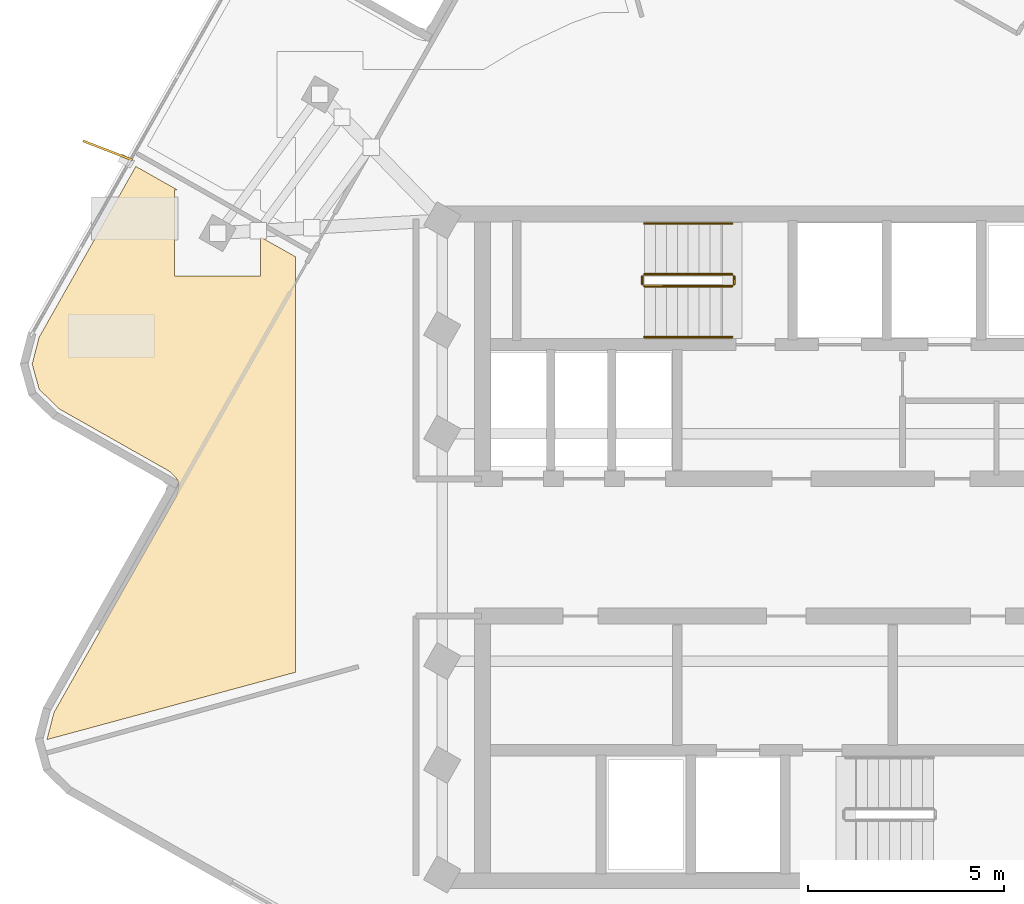
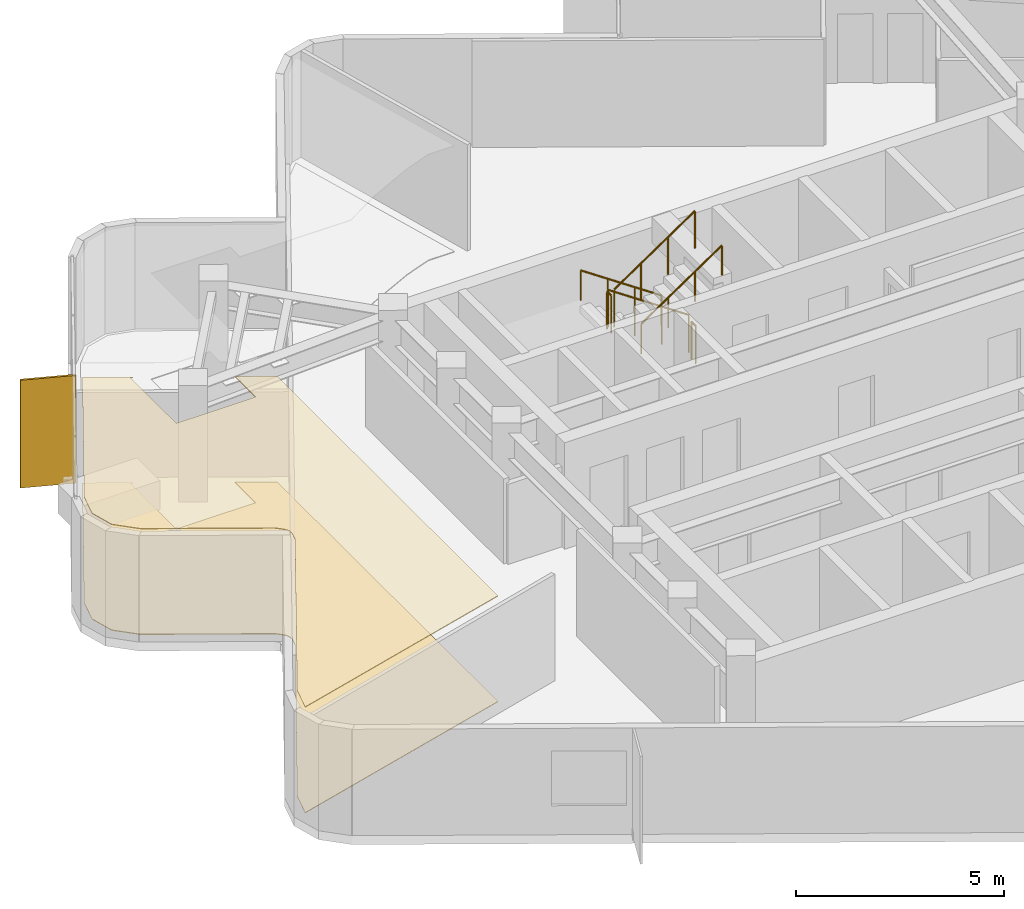
# One storey, part 9 of 11: 6 railings, 2 coverings, 1 shading device.
"""IFC4 building model written with IfcOpenShell, lengths in metres."""

from ifc_helpers import new_model, si_unit, direction, frame, origin, origin_2d, place, context, subcontext, project, spatial, polyline, rectangle, circle, outline, extrude, material, layer, layer_set, type_object, element, save


model = new_model("IFC4")

# Units and contexts
model_context = context("Model", 3, precision=1e-05, world=origin(), true_north=direction((0.0, 1.0)))
body_context = subcontext(model_context, "Body", "Model", "MODEL_VIEW")
ifc_project = project(units=[si_unit("LENGTHUNIT", "METRE"), si_unit("AREAUNIT", "SQUARE_METRE"), si_unit("VOLUMEUNIT", "CUBIC_METRE"), si_unit("PLANEANGLEUNIT", "RADIAN"), si_unit("MASSUNIT", "GRAM", prefix="KILO")], contexts=[model_context])

# Site, building, storey
site_placement = place(None, origin())
site = spatial("IfcSite", under=ifc_project, at=site_placement, CompositionType="ELEMENT")
building_placement = place(site_placement, origin())
building = spatial("IfcBuilding", under=site, at=building_placement, Name="Solmarez Civic Tower", CompositionType="ELEMENT")
storey_placement = place(building_placement, frame((0.0, 0.0, 281.699951171875)))
storey = spatial("IfcBuildingStorey", under=building, at=storey_placement, Name="L76", CompositionType="ELEMENT", Elevation=281.699951171875)

# Coverings
ifc_material_1 = material(Name="Perforated Mineral-Fibre Acoustic Ceiling")
ifc_layer_1 = layer(ifc_material_1, 0.02490234375)
ifc_layer_set_1 = layer_set([ifc_layer_1], Name="Perforated Mineral-Fibre Acoustic Ceiling")
covering_type_1 = type_object("IfcCoveringType", Name="COV-CEIL-ACOUSTIC", PredefinedType="CEILING", material=ifc_layer_set_1)
covering_1_placement = place(storey_placement, frame((0.0, 0.0, 3.094970703125)))
element("IfcCovering", 1, at=covering_1_placement, inside=storey, type_object=covering_type_1, Name="L76 Suspended Acoustic Ceiling 1", PredefinedType="CEILING", context=body_context, shape_type="SweptSolid", body=[
    extrude(outline(polyline([(-12.60009765625, -3.18798828125), (-12.60009765625, 7.422119140625), (-13.48291015625, 7.922119140625), (-13.48291015625, 6.926025390625), (-15.68310546875, 6.926025390625), (-15.68310546875, 9.1259765625), (-15.60888671875, 9.1259765625), (-16.6708984375, 9.72705078125), (-19.139892578125, 5.366943359375), (-19.318115234375, 4.680908203125), (-19.139892578125, 4.0390625), (-18.634033203125, 3.541015625), (-15.85498046875, 1.967041015625), (-15.8310546875, 1.952880859375), (-15.824951171875, 1.948974609375), (-15.80810546875, 1.93603515625), (-15.791015625, 1.922119140625), (-15.787109375, 1.9169921875), (-15.6630859375, 1.7958984375), (-15.657958984375, 1.791015625), (-15.64501953125, 1.77587890625), (-15.639892578125, 1.77001953125), (-15.6279296875, 1.75390625), (-15.617919921875, 1.738037109375), (-15.614013671875, 1.73095703125), (-15.60302734375, 1.708984375), (-15.60009765625, 1.701904296875), (-15.596923828125, 1.695068359375), (-15.5869140625, 1.66796875), (-15.5849609375, 1.660888671875), (-15.5810546875, 1.64501953125), (-15.5791015625, 1.6279296875), (-15.577880859375, 1.6220703125), (-15.576904296875, 1.616943359375), (-15.574951171875, 1.5859375), (-15.574951171875, 1.577880859375), (-15.576904296875, 1.547119140625), (-15.577880859375, 1.5400390625), (-15.5830078125, 1.51806640625), (-15.5849609375, 1.508056640625), (-15.6279296875, 1.342041015625), (-15.62890625, 1.3369140625), (-15.631103515625, 1.330078125), (-15.637939453125, 1.31005859375), (-15.64697265625, 1.2900390625), (-15.657958984375, 1.26904296875), (-18.760986328125, -4.212890625), (-18.93896484375, -4.89892578125), (-18.93701171875, -4.905029296875), (-12.60009765625, -3.18798828125)])), origin(), (0.0, 0.0, 1.0), 0.025146484375),
])
ifc_material_2 = material(Name="Polished Tropical Stone Terrazzo Flooring", Category="masonry")
ifc_layer_2 = layer(ifc_material_2, 0.02001953125)
ifc_layer_set_2 = layer_set([ifc_layer_2], Name="Polished Tropical Stone Terrazzo Flooring")
covering_type_2 = type_object("IfcCoveringType", Name="COV-FLOOR-TERRAZZO", PredefinedType="FLOORING", material=ifc_layer_set_2)
covering_2_placement = place(storey_placement, origin())
element("IfcCovering", 2, at=covering_2_placement, inside=storey, type_object=covering_type_2, Name="L76 Terrazzo Floor Finish 1", PredefinedType="FLOORING", context=body_context, shape_type="SweptSolid", body=[
    extrude(outline(polyline([(-12.60009765625, -3.18798828125), (-12.60009765625, 7.422119140625), (-13.48291015625, 7.922119140625), (-13.48291015625, 6.926025390625), (-15.68310546875, 6.926025390625), (-15.68310546875, 9.1259765625), (-15.60888671875, 9.1259765625), (-16.6708984375, 9.72705078125), (-19.139892578125, 5.366943359375), (-19.318115234375, 4.680908203125), (-19.139892578125, 4.0390625), (-18.634033203125, 3.541015625), (-15.85498046875, 1.967041015625), (-15.8310546875, 1.952880859375), (-15.824951171875, 1.948974609375), (-15.80810546875, 1.93603515625), (-15.791015625, 1.922119140625), (-15.787109375, 1.9169921875), (-15.6630859375, 1.7958984375), (-15.657958984375, 1.791015625), (-15.64501953125, 1.77587890625), (-15.639892578125, 1.77001953125), (-15.6279296875, 1.75390625), (-15.617919921875, 1.738037109375), (-15.614013671875, 1.73095703125), (-15.60302734375, 1.708984375), (-15.60009765625, 1.701904296875), (-15.596923828125, 1.695068359375), (-15.5869140625, 1.66796875), (-15.5849609375, 1.660888671875), (-15.5810546875, 1.64501953125), (-15.5791015625, 1.6279296875), (-15.577880859375, 1.6220703125), (-15.576904296875, 1.616943359375), (-15.574951171875, 1.5859375), (-15.574951171875, 1.577880859375), (-15.576904296875, 1.547119140625), (-15.577880859375, 1.5400390625), (-15.5830078125, 1.51806640625), (-15.5849609375, 1.508056640625), (-15.6279296875, 1.342041015625), (-15.62890625, 1.3369140625), (-15.631103515625, 1.330078125), (-15.637939453125, 1.31005859375), (-15.64697265625, 1.2900390625), (-15.657958984375, 1.26904296875), (-18.760986328125, -4.212890625), (-18.93896484375, -4.89892578125), (-18.93701171875, -4.905029296875), (-12.60009765625, -3.18798828125)])), origin(), (0.0, 0.0, 1.0), 0.02001953125),
])

# Shading device
ifc_material_3 = material(Name="Bronze Anodised Aluminium EN AW-6063 T6", Category="aluminium")
ifc_layer_3 = layer(ifc_material_3, 0.054931640625)
ifc_layer_set_3 = layer_set([ifc_layer_3], Name="Bronze Anodised Aluminium EN AW-6063 T6")
shading_device_type = type_object("IfcShadingDeviceType", Name="FIN-BRONZE-Z56", PredefinedType="USERDEFINED", material=ifc_layer_set_3)
shading_device_placement = place(storey_placement, frame((-17.388916015625, 10.134033203125, -0.0400390625), z_axis=(0.0, 0.0, 1.0), x_axis=(-0.932846680558, 0.360273605156, 0.0)))
element("IfcShadingDevice", 3, at=shading_device_placement, inside=storey, type_object=shading_device_type, Name="L76 Anodised Bronze Solar Fin FIN-L76-02", ObjectType="FIN", PredefinedType="USERDEFINED", context=body_context, shape_type="SweptSolid", body=[
    extrude(rectangle(XDim=1.35009765625, YDim=0.054931640625, at=origin_2d()), origin(), (0.0, 0.0, 1.0), 3.159912109375),
])

# Railings
ifc_material_4 = material(Name="Painted Steel Stairwell Safety Guard", Category="steel")
railing_type_1 = type_object("IfcRailingType", Name="GUARD-STAIR-1120", PredefinedType="BALUSTRADE", material=ifc_material_4)
railing_1_placement = place(storey_placement, frame((-1.449951171875, 6.969970703125, 0.18994140625)))
element("IfcRailing", 4, at=railing_1_placement, inside=storey, type_object=railing_type_1, Name="L76 ST-1 stair guard 1", PredefinedType="BALUSTRADE", context=body_context, shape_type="SweptSolid", body=[
    extrude(circle(Radius=0.02392578125, at=origin_2d()), frame((0.0, 0.0, 1.09619140625), z_axis=(-0.827471284677, 0.0, 0.561508034703), x_axis=(0.0, -1.0, 0.0)), (0.0, 0.0, 1.0), 2.70703125),
    extrude(circle(Radius=0.02099609375, at=origin_2d()), origin(), (0.0, 0.0, 1.0), 1.072021484375),
    extrude(circle(Radius=0.02099609375, at=origin_2d()), frame((-0.74658203125, 0.0, 0.506591796875)), (0.0, 0.0, 1.0), 1.072021484375),
    extrude(circle(Radius=0.02099609375, at=origin_2d()), frame((-1.493408203125, 0.0, 1.013427734375)), (0.0, 0.0, 1.0), 1.072021484375),
    extrude(circle(Radius=0.02099609375, at=origin_2d()), frame((-2.239990234375, 0.0, 1.52001953125)), (0.0, 0.0, 1.0), 1.072021484375),
])
railing_2_placement = place(storey_placement, frame((-3.739990234375, 6.919921875, 1.7099609375)))
element("IfcRailing", 5, at=railing_2_placement, inside=storey, type_object=railing_type_1, Name="L76 ST-1 stair guard 2", PredefinedType="BALUSTRADE", context=body_context, shape_type="SweptSolid", body=[
    extrude(circle(Radius=0.02392578125, at=origin_2d()), frame((0.0, 0.0, 1.09619140625), z_axis=(0.0, -1.0, 0.0), x_axis=(1.0, 0.0, 0.0)), (0.0, 0.0, 1.0), 0.199951171875),
    extrude(circle(Radius=0.02099609375, at=origin_2d()), origin(), (0.0, 0.0, 1.0), 1.072021484375),
    extrude(circle(Radius=0.02099609375, at=origin_2d()), frame((0.0, -0.199951171875, 0.0)), (0.0, 0.0, 1.0), 1.072021484375),
])
railing_3_placement = place(storey_placement, frame((-3.68994140625, 6.669921875, 1.900146484375)))
element("IfcRailing", 6, at=railing_3_placement, inside=storey, type_object=railing_type_1, Name="L76 ST-1 stair guard 3", PredefinedType="BALUSTRADE", context=body_context, shape_type="SweptSolid", body=[
    extrude(circle(Radius=0.02392578125, at=origin_2d()), frame((0.0, 0.0, 1.09619140625), z_axis=(0.827471284677, 0.0, 0.561508034703), x_axis=(0.0, 1.0, 0.0)), (0.0, 0.0, 1.0), 2.70703125),
    extrude(circle(Radius=0.02099609375, at=origin_2d()), origin(), (0.0, 0.0, 1.0), 1.072021484375),
    extrude(circle(Radius=0.02099609375, at=origin_2d()), frame((0.74658203125, 0.0, 0.506591796875)), (0.0, 0.0, 1.0), 1.072021484375),
    extrude(circle(Radius=0.02099609375, at=origin_2d()), frame((1.493408203125, 0.0, 1.013427734375)), (0.0, 0.0, 1.0), 1.072021484375),
    extrude(circle(Radius=0.02099609375, at=origin_2d()), frame((2.239990234375, 0.0, 1.52001953125)), (0.0, 0.0, 1.0), 1.072021484375),
])
railing_4_placement = place(storey_placement, frame((-1.39990234375, 6.919921875, 0.0)))
element("IfcRailing", 7, at=railing_4_placement, inside=storey, type_object=railing_type_1, Name="L76 ST-1 stair guard 4", PredefinedType="BALUSTRADE", context=body_context, shape_type="SweptSolid", body=[
    extrude(circle(Radius=0.02392578125, at=origin_2d()), frame((0.0, 0.0, 1.09619140625), z_axis=(0.0, -1.0, 0.0), x_axis=(1.0, 0.0, 0.0)), (0.0, 0.0, 1.0), 0.199951171875),
    extrude(circle(Radius=0.02099609375, at=origin_2d()), origin(), (0.0, 0.0, 1.0), 1.072021484375),
    extrude(circle(Radius=0.02099609375, at=origin_2d()), frame((0.0, -0.199951171875, 0.0)), (0.0, 0.0, 1.0), 1.072021484375),
])
ifc_material_5 = material(Name="Brushed Stainless Steel Tube Handrail", Category="steel")
railing_type_2 = type_object("IfcRailingType", Name="HANDRAIL-STAIR-900", PredefinedType="HANDRAIL", material=ifc_material_5)
railing_5_placement = place(storey_placement, frame((-1.449951171875, 8.27001953125, 0.18994140625)))
element("IfcRailing", 8, at=railing_5_placement, inside=storey, type_object=railing_type_2, Name="L76 ST-1 stair handrail 1", PredefinedType="HANDRAIL", context=body_context, shape_type="SweptSolid", body=[
    extrude(circle(Radius=0.02392578125, at=origin_2d()), frame((0.0, 0.0, 0.8759765625), z_axis=(-0.827471284677, 0.0, 0.561508034703), x_axis=(0.0, -1.0, 0.0)), (0.0, 0.0, 1.0), 2.70703125),
    extrude(circle(Radius=0.02099609375, at=origin_2d()), origin(), (0.0, 0.0, 1.0), 0.851806640625),
    extrude(circle(Radius=0.02099609375, at=origin_2d()), frame((-0.74658203125, 0.0, 0.506591796875)), (0.0, 0.0, 1.0), 0.851806640625),
    extrude(circle(Radius=0.02099609375, at=origin_2d()), frame((-1.493408203125, 0.0, 1.013427734375)), (0.0, 0.0, 1.0), 0.851806640625),
    extrude(circle(Radius=0.02099609375, at=origin_2d()), frame((-2.239990234375, 0.0, 1.52001953125)), (0.0, 0.0, 1.0), 0.851806640625),
])
railing_6_placement = place(storey_placement, frame((-3.68994140625, 5.3701171875, 1.900146484375)))
element("IfcRailing", 9, at=railing_6_placement, inside=storey, type_object=railing_type_2, Name="L76 ST-1 stair handrail 2", PredefinedType="HANDRAIL", context=body_context, shape_type="SweptSolid", body=[
    extrude(circle(Radius=0.02392578125, at=origin_2d()), frame((0.0, 0.0, 0.8759765625), z_axis=(0.827471284677, 0.0, 0.561508034703), x_axis=(0.0, 1.0, 0.0)), (0.0, 0.0, 1.0), 2.70703125),
    extrude(circle(Radius=0.02099609375, at=origin_2d()), origin(), (0.0, 0.0, 1.0), 0.851806640625),
    extrude(circle(Radius=0.02099609375, at=origin_2d()), frame((0.74658203125, 0.0, 0.506591796875)), (0.0, 0.0, 1.0), 0.851806640625),
    extrude(circle(Radius=0.02099609375, at=origin_2d()), frame((1.493408203125, 0.0, 1.013427734375)), (0.0, 0.0, 1.0), 0.851806640625),
    extrude(circle(Radius=0.02099609375, at=origin_2d()), frame((2.239990234375, 0.0, 1.52001953125)), (0.0, 0.0, 1.0), 0.851806640625),
])

save(model, "model.ifc")
